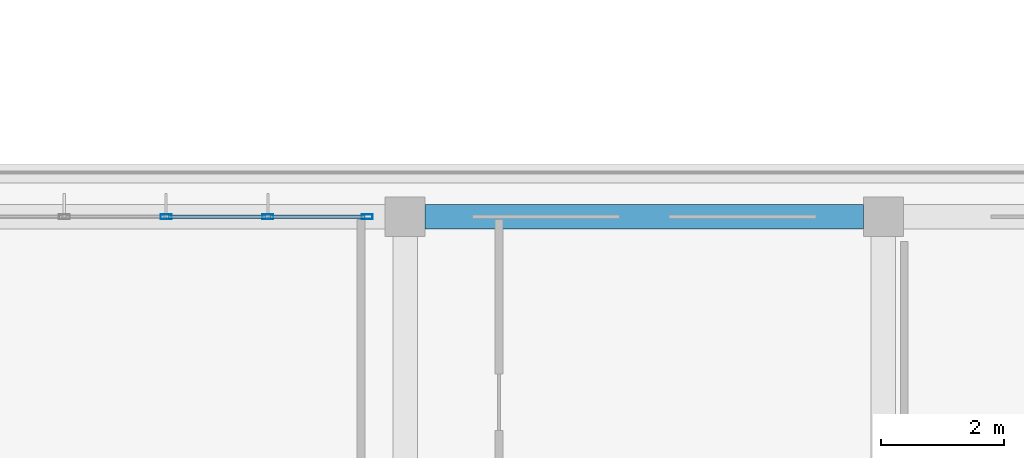
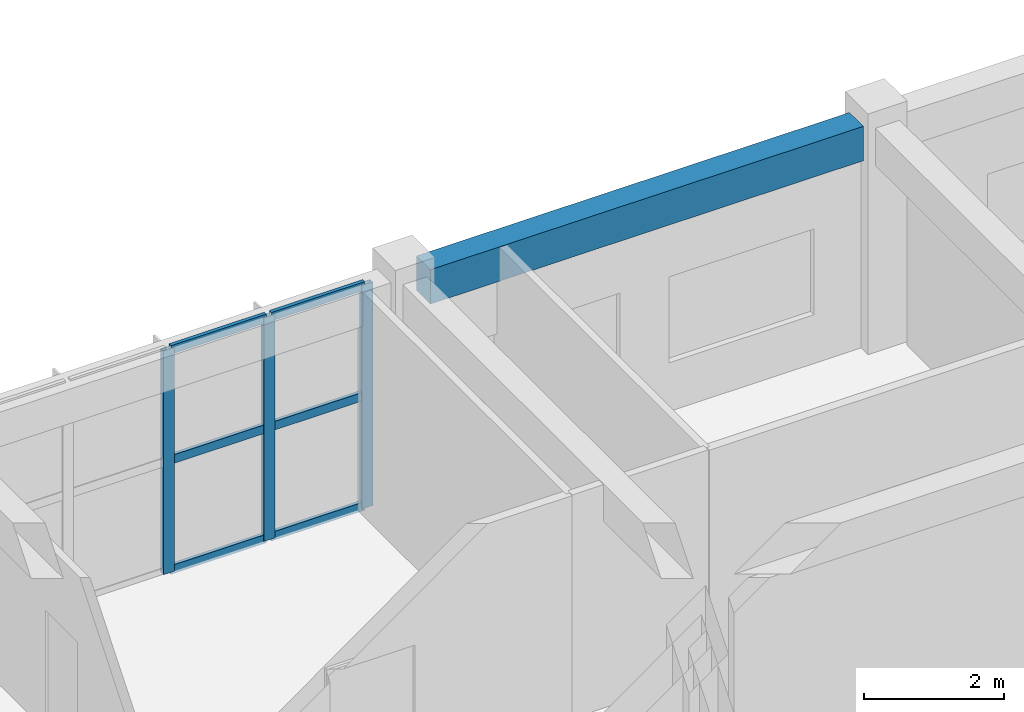
# One storey, part 27 of 57: 9 members, 1 beam, 1 element without a shape of its own.
"""IFC4 building model written with IfcOpenShell, lengths in metres."""

from ifc_helpers import new_model, si_unit, direction, frame, origin, origin_2d, place, context, subcontext, project, spatial, rectangle, hollow_rectangle, extrude, material, layer, layer_set, material_profile, profile_set, type_object, element, aggregate, save


model = new_model("IFC4")

# Units and contexts
model_context = context("Model", 3, precision=1e-05, world=origin(), true_north=direction((0.0, 1.0)))
body_context = subcontext(model_context, "Body", "Model", "MODEL_VIEW")
ifc_project = project(units=[si_unit("LENGTHUNIT", "METRE"), si_unit("AREAUNIT", "SQUARE_METRE"), si_unit("VOLUMEUNIT", "CUBIC_METRE"), si_unit("PLANEANGLEUNIT", "RADIAN"), si_unit("MASSUNIT", "GRAM", prefix="KILO")], contexts=[model_context])

# Site, building, storey
site_placement = place(None, origin())
site = spatial("IfcSite", under=ifc_project, at=site_placement, CompositionType="ELEMENT")
building_placement = place(site_placement, origin())
building = spatial("IfcBuilding", under=site, at=building_placement, Name="Zizhar Promenade General Hospital", CompositionType="ELEMENT")
storey_placement = place(building_placement, frame((0.0, 0.0, 22.199951171875)))
storey = spatial("IfcBuildingStorey", under=building, at=storey_placement, Name="L05", CompositionType="ELEMENT", Elevation=22.199951171875)

# Beam
ifc_material_1 = material(Name="Concrete C35/45", Category="concrete")
ifc_material_profile_1 = material_profile(ifc_material_1, rectangle(XDim=0.39990234375, YDim=0.60009765625, at=origin_2d()))
ifc_profile_set_1 = profile_set([ifc_material_profile_1], Name="Concrete C35/45")
beam_type = type_object("IfcBeamType", Name="BM-RC-400x600", PredefinedType="JOIST", material=ifc_profile_set_1)
beam_placement = place(storey_placement, frame((101.72509765625, 25.199951171875, 3.610107421875), z_axis=(1.0, 0.0, 0.0), x_axis=(0.0, 1.0, 0.0)))
element("IfcBeam", 1, at=beam_placement, inside=storey, type_object=beam_type, Name="Grid Beam X L05 (13-3)", PredefinedType="JOIST", context=body_context, shape_type="SweptSolid", body=[
    extrude(rectangle(XDim=0.39990234375, YDim=0.60009765625, at=origin_2d()), origin(), (0.0, 0.0, 1.0), 7.14990234375),
])

# Curtain wall, members
ifc_material_2 = material(Name="Anodised aluminium 6063-T6 and low-E glass", Category="aluminium")
ifc_layer = layer(ifc_material_2, 0.159912109375)
ifc_layer_set = layer_set([ifc_layer], Name="Anodised aluminium 6063-T6 and low-E glass")
curtain_wall_type = type_object("IfcCurtainWallType", Name="CW-WARD-RIB", PredefinedType="NOTDEFINED", material=ifc_layer_set)
curtain_wall_placement = place(storey_placement, origin())
curtain_wall = element("IfcCurtainWall", 2, at=curtain_wall_placement, inside=storey, type_object=curtain_wall_type, Name="Ward Ribbon Curtain Wall L05-8-8", PredefinedType="NOTDEFINED")
ifc_material_3 = material(Name="Anodised aluminium 6063-T6", Category="aluminium")
ifc_material_profile_2 = material_profile(ifc_material_3, hollow_rectangle(XDim=0.080078125, YDim=0.179931640625, WallThickness=0.0048828125, at=origin_2d()))
ifc_profile_set_2 = profile_set([ifc_material_profile_2], Name="Anodised aluminium 6063-T6")
member_type_1 = type_object("IfcMemberType", Name="CWM-ALU-180x80", PredefinedType="MULLION", material=ifc_profile_set_2)
member_1_placement = place(storey_placement, frame((97.5, 25.199951171875, 0.0), z_axis=(0.0, 0.0, 1.0), x_axis=(0.0, 1.0, 0.0)))
member_1 = element("IfcMember", 3, at=member_1_placement, type_object=member_type_1, Name="CW-13 mullion 3", PredefinedType="MULLION", context=body_context, shape_type="SweptSolid", body=[
    extrude(hollow_rectangle(XDim=0.080078125, YDim=0.179931640625, WallThickness=0.0048828125, at=origin_2d()), origin(), (0.0, 0.0, 1.0), 3.900146484375),
])
member_2_placement = place(storey_placement, frame((99.159912109375, 25.199951171875, 0.0), z_axis=(0.0, 0.0, 1.0), x_axis=(0.0, 1.0, 0.0)))
member_2 = element("IfcMember", 4, at=member_2_placement, type_object=member_type_1, Name="CW-13 mullion 4", PredefinedType="MULLION", context=body_context, shape_type="SweptSolid", body=[
    extrude(hollow_rectangle(XDim=0.080078125, YDim=0.179931640625, WallThickness=0.0048828125, at=origin_2d()), origin(), (0.0, 0.0, 1.0), 3.900146484375),
])
member_3_placement = place(storey_placement, frame((100.780029296875, 25.199951171875, 0.0), z_axis=(0.0, 0.0, 1.0), x_axis=(0.0, 1.0, 0.0)))
member_3 = element("IfcMember", 5, at=member_3_placement, type_object=member_type_1, Name="CW-13 mullion 5", PredefinedType="MULLION", context=body_context, shape_type="SweptSolid", body=[
    extrude(hollow_rectangle(XDim=0.080078125, YDim=0.179931640625, WallThickness=0.0048828125, at=origin_2d()), origin(), (0.0, 0.0, 1.0), 3.900146484375),
])
ifc_material_4 = material(Name="Anodised aluminium 6063-T6", Category="aluminium")
ifc_material_profile_3 = material_profile(ifc_material_4, hollow_rectangle(XDim=0.06005859375, YDim=0.14990234375, WallThickness=0.00390625, at=origin_2d()))
ifc_profile_set_3 = profile_set([ifc_material_profile_3], Name="Anodised aluminium 6063-T6")
member_type_2 = type_object("IfcMemberType", Name="CWT-ALU-150x60", PredefinedType="USERDEFINED", material=ifc_profile_set_3)
member_4_placement = place(storey_placement, frame((97.5400390625, 25.199951171875, 0.030029296875), z_axis=(1.0, 0.0, 0.0), x_axis=(0.0, 1.0, 0.0)))
member_4 = element("IfcMember", 6, at=member_4_placement, type_object=member_type_2, Name="CW-13 transom 3.1", ObjectType="TRANSOM", PredefinedType="USERDEFINED", context=body_context, shape_type="SweptSolid", body=[
    extrude(hollow_rectangle(XDim=0.06005859375, YDim=0.14990234375, WallThickness=0.00390625, at=origin_2d()), origin(), (0.0, 0.0, 1.0), 1.580078125),
])
member_5_placement = place(storey_placement, frame((97.5400390625, 25.199951171875, 1.949951171875), z_axis=(1.0, 0.0, 0.0), x_axis=(0.0, 1.0, 0.0)))
member_5 = element("IfcMember", 7, at=member_5_placement, type_object=member_type_2, Name="CW-13 transom 3.2", ObjectType="TRANSOM", PredefinedType="USERDEFINED", context=body_context, shape_type="SweptSolid", body=[
    extrude(hollow_rectangle(XDim=0.06005859375, YDim=0.14990234375, WallThickness=0.00390625, at=origin_2d()), origin(), (0.0, 0.0, 1.0), 1.580078125),
])
member_6_placement = place(storey_placement, frame((97.5400390625, 25.199951171875, 3.8701171875), z_axis=(1.0, 0.0, 0.0), x_axis=(0.0, 1.0, 0.0)))
member_6 = element("IfcMember", 8, at=member_6_placement, type_object=member_type_2, Name="CW-13 transom 3.3", ObjectType="TRANSOM", PredefinedType="USERDEFINED", context=body_context, shape_type="SweptSolid", body=[
    extrude(hollow_rectangle(XDim=0.06005859375, YDim=0.14990234375, WallThickness=0.00390625, at=origin_2d()), origin(), (0.0, 0.0, 1.0), 1.580078125),
])
member_7_placement = place(storey_placement, frame((99.199951171875, 25.199951171875, 0.030029296875), z_axis=(1.0, 0.0, 0.0), x_axis=(0.0, 1.0, 0.0)))
member_7 = element("IfcMember", 9, at=member_7_placement, type_object=member_type_2, Name="CW-13 transom 4.1", ObjectType="TRANSOM", PredefinedType="USERDEFINED", context=body_context, shape_type="SweptSolid", body=[
    extrude(hollow_rectangle(XDim=0.06005859375, YDim=0.14990234375, WallThickness=0.00390625, at=origin_2d()), origin(), (0.0, 0.0, 1.0), 1.5400390625),
])
member_8_placement = place(storey_placement, frame((99.199951171875, 25.199951171875, 1.949951171875), z_axis=(1.0, 0.0, 0.0), x_axis=(0.0, 1.0, 0.0)))
member_8 = element("IfcMember", 10, at=member_8_placement, type_object=member_type_2, Name="CW-13 transom 4.2", ObjectType="TRANSOM", PredefinedType="USERDEFINED", context=body_context, shape_type="SweptSolid", body=[
    extrude(hollow_rectangle(XDim=0.06005859375, YDim=0.14990234375, WallThickness=0.00390625, at=origin_2d()), origin(), (0.0, 0.0, 1.0), 1.5400390625),
])
member_9_placement = place(storey_placement, frame((99.199951171875, 25.199951171875, 3.8701171875), z_axis=(1.0, 0.0, 0.0), x_axis=(0.0, 1.0, 0.0)))
member_9 = element("IfcMember", 11, at=member_9_placement, type_object=member_type_2, Name="CW-13 transom 4.3", ObjectType="TRANSOM", PredefinedType="USERDEFINED", context=body_context, shape_type="SweptSolid", body=[
    extrude(hollow_rectangle(XDim=0.06005859375, YDim=0.14990234375, WallThickness=0.00390625, at=origin_2d()), origin(), (0.0, 0.0, 1.0), 1.5400390625),
])
aggregate(curtain_wall, [member_1, member_2, member_3, member_4, member_5, member_6, member_7, member_8, member_9])

save(model, "model.ifc")
